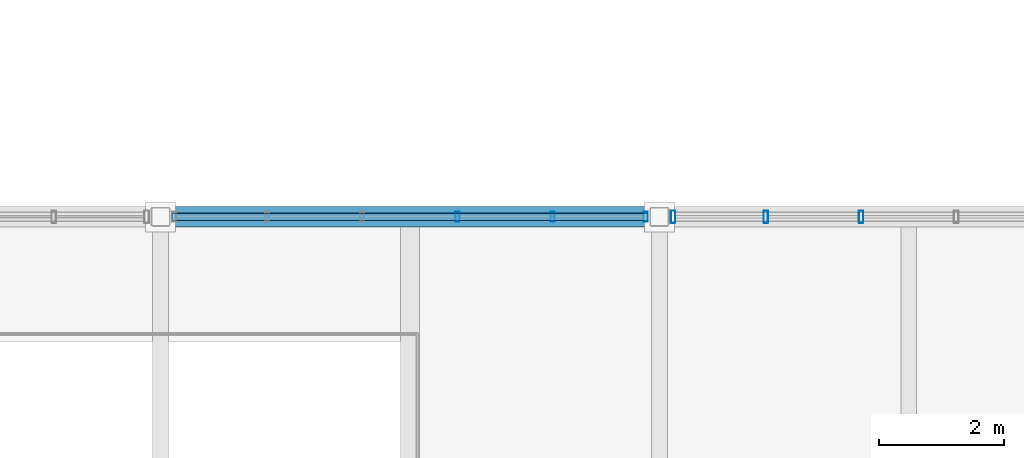
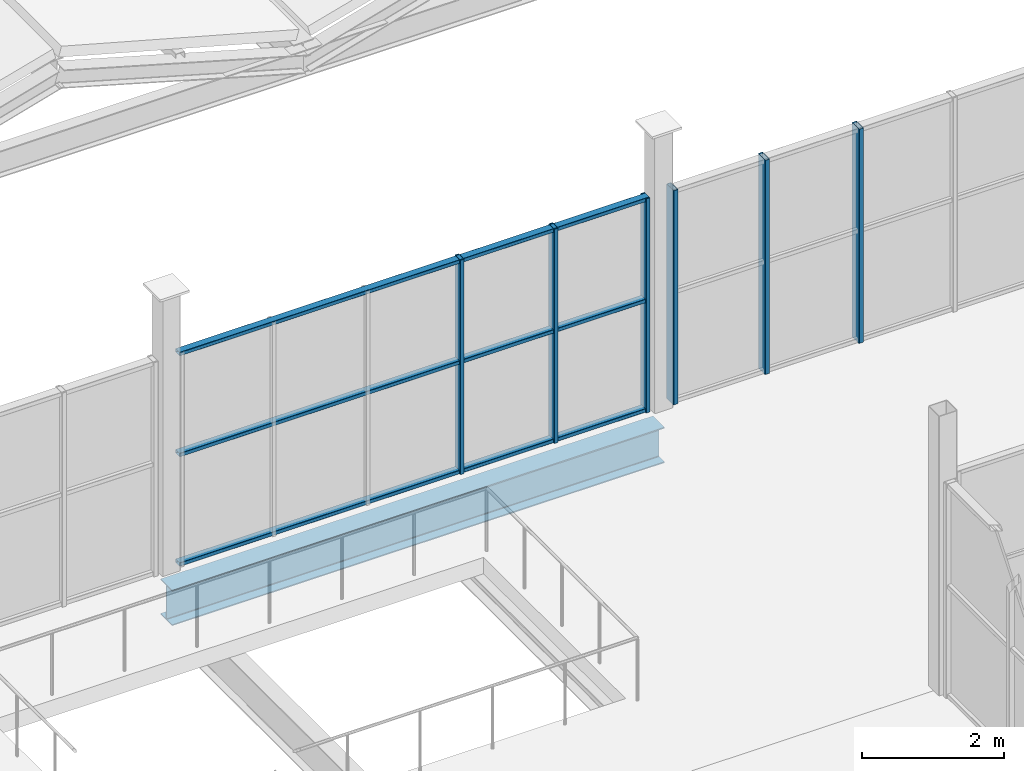
# One storey, part 49 of 114: 9 members, 1 beam, 2 elements without a shape of their own.
"""IFC4 building model written with IfcOpenShell, lengths in metres."""

from ifc_helpers import new_model, si_unit, direction, frame, origin, origin_2d, place, context, subcontext, project, spatial, hollow_rectangle, i_section, extrude, material, material_profile, profile_set, type_object, element, aggregate, save


model = new_model("IFC4")

# Units and contexts
model_context = context("Model", 3, precision=1e-05, world=origin(), true_north=direction((0.0, 1.0)))
body_context = subcontext(model_context, "Body", "Model", "MODEL_VIEW")
ifc_project = project(units=[si_unit("LENGTHUNIT", "METRE"), si_unit("AREAUNIT", "SQUARE_METRE"), si_unit("VOLUMEUNIT", "CUBIC_METRE"), si_unit("PLANEANGLEUNIT", "RADIAN"), si_unit("MASSUNIT", "GRAM", prefix="KILO")], contexts=[model_context])

# Site, building, storey
site_placement = place(None, origin())
site = spatial("IfcSite", under=ifc_project, at=site_placement, CompositionType="ELEMENT")
building_placement = place(site_placement, origin())
building = spatial("IfcBuilding", under=site, at=building_placement, Name="Verrall Gate Interchange", CompositionType="ELEMENT")
storey_placement = place(building_placement, frame((0.0, 0.0, 6.60009765625)))
storey = spatial("IfcBuildingStorey", under=building, at=storey_placement, Name="L02", CompositionType="ELEMENT", Elevation=6.60009765625)

# Beam
ifc_material_1 = material(Name="Structural Steel CSA G40.21 350WT Cat 4", Category="steel")
ifc_material_profile_1 = material_profile(ifc_material_1, i_section(OverallWidth=0.323974609375, OverallDepth=0.611083984375, WebThickness=0.0126953125, FlangeThickness=0.01904296875, FilletRadius=0.014892578125, at=origin_2d()), Name="W610x155")
ifc_profile_set_1 = profile_set([ifc_material_profile_1], Name="Structural Steel CSA G40.21 350WT Cat 4")
beam_type = type_object("IfcBeamType", Name="B-08 Structural Beam W610x155", PredefinedType="BEAM", material=ifc_profile_set_1)
beam_placement = place(storey_placement, frame((100.0, 56.0, -0.585693359375), z_axis=(1.0, 0.0, 0.0), x_axis=(0.0, 1.0, 0.0)))
element("IfcBeam", 1, at=beam_placement, inside=storey, type_object=beam_type, Name="L02 Girder BM-L02-1600 (B-08)", PredefinedType="BEAM", context=body_context, shape_type="SweptSolid", body=[
    extrude(i_section(OverallWidth=0.323974609375, OverallDepth=0.611083984375, WebThickness=0.0126953125, FlangeThickness=0.01904296875, FilletRadius=0.014892578125, at=origin_2d()), origin(), (0.0, 0.0, 1.0), 8.0),
])

# Curtain wall, members
ifc_material_2 = material(Name="Thermally Broken Anodized Aluminium Curtain Wall Framing", Category="aluminium")
curtain_wall_type = type_object("IfcCurtainWallType", Name="CW-21 Unitized Curtain Wall 7631x3680", PredefinedType="NOTDEFINED", material=ifc_material_2)
curtain_wall_1_placement = place(storey_placement, origin())
curtain_wall_1 = element("IfcCurtainWall", 2, at=curtain_wall_1_placement, inside=storey, type_object=curtain_wall_type, Name="L02 Unitized Curtain Wall CW-L02-076", PredefinedType="NOTDEFINED")
ifc_material_3 = material(Name="Thermally Broken Anodized Aluminium Curtain Wall Framing", Category="aluminium")
ifc_material_profile_2 = material_profile(ifc_material_3, hollow_rectangle(XDim=0.06494140625, YDim=0.159912109375, WallThickness=0.00390625, InnerFilletRadius=0.00390625, OuterFilletRadius=0.008056640625, at=origin_2d()), Name="CWM160x65x4")
ifc_profile_set_2 = profile_set([ifc_material_profile_2], Name="Thermally Broken Anodized Aluminium Curtain Wall Framing")
member_type_1 = type_object("IfcMemberType", Name="CM-01 Curtain Mullion CWM160x65x4", PredefinedType="MULLION", material=ifc_profile_set_2)
member_1_placement = place(storey_placement, frame((107.782958984375, 56.0, 0.0), z_axis=(0.0, 0.0, 1.0), x_axis=(-1.0, 0.0, 0.0)))
member_1 = element("IfcMember", 3, at=member_1_placement, type_object=member_type_1, Name="CW-L02-076 Mullion 1", PredefinedType="MULLION", context=body_context, shape_type="SweptSolid", body=[
    extrude(hollow_rectangle(XDim=0.06494140625, YDim=0.159912109375, WallThickness=0.00390625, InnerFilletRadius=0.00390625, OuterFilletRadius=0.008056640625, at=origin_2d()), origin(), (0.0, 0.0, 1.0), 3.679931640625),
])
member_2_placement = place(storey_placement, frame((106.289306640625, 56.0, 0.0), z_axis=(0.0, 0.0, 1.0), x_axis=(-1.0, 0.0, 0.0)))
member_2 = element("IfcMember", 4, at=member_2_placement, type_object=member_type_1, Name="CW-L02-076 Mullion 2", PredefinedType="MULLION", context=body_context, shape_type="SweptSolid", body=[
    extrude(hollow_rectangle(XDim=0.06494140625, YDim=0.159912109375, WallThickness=0.00390625, InnerFilletRadius=0.00390625, OuterFilletRadius=0.008056640625, at=origin_2d()), origin(), (0.0, 0.0, 1.0), 3.679931640625),
])
member_3_placement = place(storey_placement, frame((104.76318359375, 56.0, 0.0), z_axis=(0.0, 0.0, 1.0), x_axis=(-1.0, 0.0, 0.0)))
member_3 = element("IfcMember", 5, at=member_3_placement, type_object=member_type_1, Name="CW-L02-076 Mullion 3", PredefinedType="MULLION", context=body_context, shape_type="SweptSolid", body=[
    extrude(hollow_rectangle(XDim=0.06494140625, YDim=0.159912109375, WallThickness=0.00390625, InnerFilletRadius=0.00390625, OuterFilletRadius=0.008056640625, at=origin_2d()), origin(), (0.0, 0.0, 1.0), 3.679931640625),
])

curtain_wall_2_placement = place(storey_placement, origin())
curtain_wall_2 = element("IfcCurtainWall", 6, at=curtain_wall_2_placement, inside=storey, type_object=curtain_wall_type, Name="L02 Unitized Curtain Wall CW-L02-075", PredefinedType="NOTDEFINED")
ifc_material_4 = material(Name="Thermally Broken Anodized Aluminium Curtain Wall Framing", Category="aluminium")
ifc_material_profile_3 = material_profile(ifc_material_4, hollow_rectangle(XDim=0.074951171875, YDim=0.199951171875, WallThickness=0.0048828125, InnerFilletRadius=0.0048828125, OuterFilletRadius=0.010009765625, at=origin_2d()), Name="CWM200x75x5")
ifc_profile_set_3 = profile_set([ifc_material_profile_3], Name="Thermally Broken Anodized Aluminium Curtain Wall Framing")
member_type_2 = type_object("IfcMemberType", Name="CM-02 Curtain Mullion CWM200x75x5", PredefinedType="MULLION", material=ifc_profile_set_3)
member_4_placement = place(storey_placement, frame((111.23681640625, 56.0, 0.0), z_axis=(0.0, 0.0, 1.0), x_axis=(-1.0, 0.0, 0.0)))
member_4 = element("IfcMember", 7, at=member_4_placement, type_object=member_type_2, Name="CW-L02-075 Mullion 4", PredefinedType="MULLION", context=body_context, shape_type="SweptSolid", body=[
    extrude(hollow_rectangle(XDim=0.074951171875, YDim=0.199951171875, WallThickness=0.0048828125, InnerFilletRadius=0.0048828125, OuterFilletRadius=0.010009765625, at=origin_2d()), origin(), (0.0, 0.0, 1.0), 3.679931640625),
])
member_5_placement = place(storey_placement, frame((109.710693359375, 56.0, 0.0), z_axis=(0.0, 0.0, 1.0), x_axis=(-1.0, 0.0, 0.0)))
member_5 = element("IfcMember", 8, at=member_5_placement, type_object=member_type_2, Name="CW-L02-075 Mullion 5", PredefinedType="MULLION", context=body_context, shape_type="SweptSolid", body=[
    extrude(hollow_rectangle(XDim=0.074951171875, YDim=0.199951171875, WallThickness=0.0048828125, InnerFilletRadius=0.0048828125, OuterFilletRadius=0.010009765625, at=origin_2d()), origin(), (0.0, 0.0, 1.0), 3.679931640625),
])
member_6_placement = place(storey_placement, frame((108.221923828125, 56.0, 0.0), z_axis=(0.0, 0.0, 1.0), x_axis=(-1.0, 0.0, 0.0)))
member_6 = element("IfcMember", 9, at=member_6_placement, type_object=member_type_2, Name="CW-L02-075 Mullion 6", PredefinedType="MULLION", context=body_context, shape_type="SweptSolid", body=[
    extrude(hollow_rectangle(XDim=0.074951171875, YDim=0.199951171875, WallThickness=0.0048828125, InnerFilletRadius=0.0048828125, OuterFilletRadius=0.010009765625, at=origin_2d()), origin(), (0.0, 0.0, 1.0), 3.679931640625),
])
aggregate(curtain_wall_2, [member_4, member_5, member_6])

# Member
ifc_material_5 = material(Name="Thermally Broken Anodized Aluminium Curtain Wall Framing", Category="aluminium")
ifc_material_profile_4 = material_profile(ifc_material_5, hollow_rectangle(XDim=0.1201171875, YDim=0.06494140625, WallThickness=0.00390625, InnerFilletRadius=0.00390625, OuterFilletRadius=0.008056640625, at=origin_2d()), Name="CWT120x65x4")
ifc_profile_set_4 = profile_set([ifc_material_profile_4], Name="Thermally Broken Anodized Aluminium Curtain Wall Framing")
member_type_3 = type_object("IfcMemberType", Name="CT-01 Curtain Transom CWT120x65x4", PredefinedType="USERDEFINED", material=ifc_profile_set_4)
member_7_placement = place(storey_placement, frame((107.8154296875, 56.0, 0.032470703125), z_axis=(-1.0, 0.0, 0.0), x_axis=(0.0, -1.0, 0.0)))
member_7 = element("IfcMember", 10, at=member_7_placement, type_object=member_type_3, Name="CW-L02-076 Transom 1", ObjectType="TRANSOM", PredefinedType="USERDEFINED", context=body_context, shape_type="SweptSolid", body=[
    extrude(hollow_rectangle(XDim=0.1201171875, YDim=0.06494140625, WallThickness=0.00390625, InnerFilletRadius=0.00390625, OuterFilletRadius=0.008056640625, at=origin_2d()), origin(), (0.0, 0.0, 1.0), 7.630859375),
])

member_8_placement = place(storey_placement, frame((107.8154296875, 56.0, 1.91357421875), z_axis=(-1.0, 0.0, 0.0), x_axis=(0.0, -1.0, 0.0)))
member_8 = element("IfcMember", 11, at=member_8_placement, type_object=member_type_3, Name="CW-L02-076 Transom 2", ObjectType="TRANSOM", PredefinedType="USERDEFINED", context=body_context, shape_type="SweptSolid", body=[
    extrude(hollow_rectangle(XDim=0.1201171875, YDim=0.06494140625, WallThickness=0.00390625, InnerFilletRadius=0.00390625, OuterFilletRadius=0.008056640625, at=origin_2d()), origin(), (0.0, 0.0, 1.0), 7.630859375),
])

member_9_placement = place(storey_placement, frame((107.8154296875, 56.0, 3.6474609375), z_axis=(-1.0, 0.0, 0.0), x_axis=(0.0, -1.0, 0.0)))
member_9 = element("IfcMember", 12, at=member_9_placement, type_object=member_type_3, Name="CW-L02-076 Transom 3", ObjectType="TRANSOM", PredefinedType="USERDEFINED", context=body_context, shape_type="SweptSolid", body=[
    extrude(hollow_rectangle(XDim=0.1201171875, YDim=0.06494140625, WallThickness=0.00390625, InnerFilletRadius=0.00390625, OuterFilletRadius=0.008056640625, at=origin_2d()), origin(), (0.0, 0.0, 1.0), 7.630859375),
])

aggregate(curtain_wall_1, [member_1, member_2, member_3, member_7, member_8, member_9])

save(model, "model.ifc")
